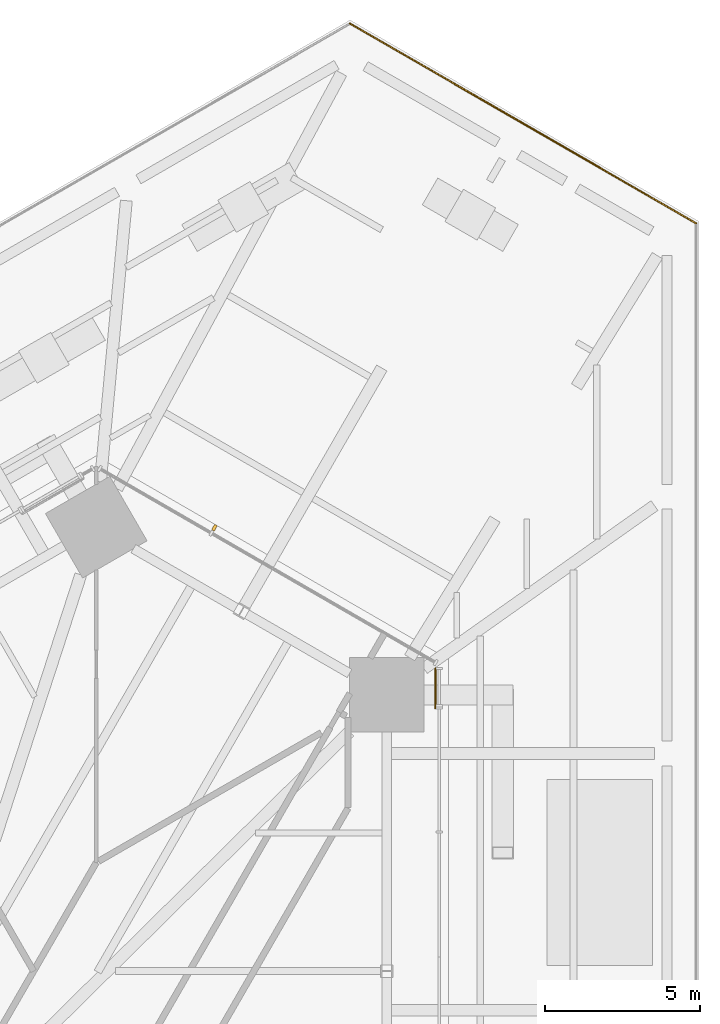
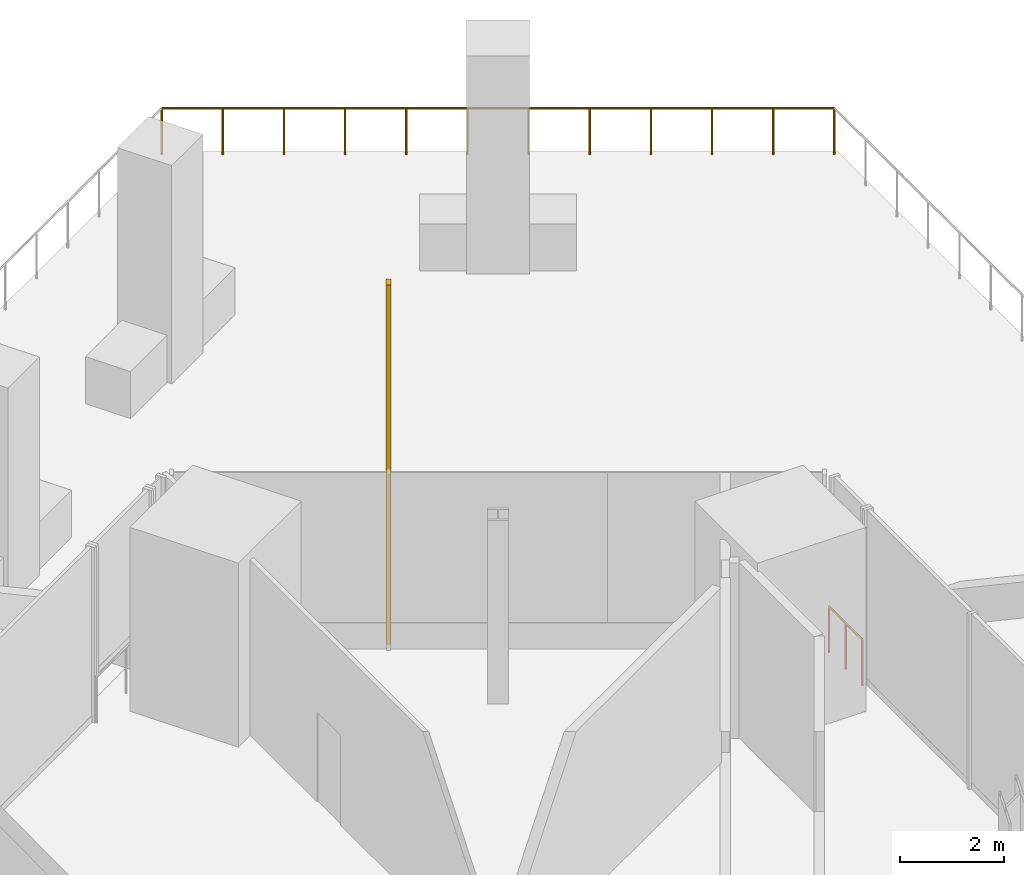
# One storey, part 35 of 38: 2 railings, 1 shading device.
"""IFC4 building model written with IfcOpenShell, lengths in metres."""

from ifc_helpers import new_model, si_unit, direction, frame, origin, origin_2d, place, context, subcontext, project, spatial, rectangle, circle, extrude, source, transform, mapped, material, type_object, element, save


model = new_model("IFC4")

# Units and contexts
model_context = context("Model", 3, precision=1e-05, world=origin(), true_north=direction((0.0, 1.0)))
body_context = subcontext(model_context, "Body", "Model", "MODEL_VIEW")
ifc_project = project(units=[si_unit("LENGTHUNIT", "METRE"), si_unit("AREAUNIT", "SQUARE_METRE"), si_unit("VOLUMEUNIT", "CUBIC_METRE"), si_unit("PLANEANGLEUNIT", "RADIAN"), si_unit("MASSUNIT", "GRAM", prefix="KILO")], contexts=[model_context])

# Site, building, storey
site_placement = place(None, origin())
site = spatial("IfcSite", under=ifc_project, at=site_placement, CompositionType="ELEMENT")
building_placement = place(site_placement, origin())
building = spatial("IfcBuilding", under=site, at=building_placement, Name="Triune Harvest Tower", CompositionType="ELEMENT")
storey_placement = place(building_placement, frame((0.0, 0.0, 16.0)))
storey = spatial("IfcBuildingStorey", under=building, at=storey_placement, Name="L03", CompositionType="ELEMENT", Elevation=16.0)

# Railings
ifc_material_1 = material(Name="Steel ASTM A992 Gr 50", Category="steel")
railing_type_1 = type_object("IfcRailingType", Name="GD-1 terrace guard 1100", PredefinedType="GUARDRAIL", material=ifc_material_1)
railing_1_placement = place(storey_placement, frame((20.495849609375, 48.384521484375, 0.0)))
element("IfcRailing", 1, at=railing_1_placement, inside=storey, type_object=railing_type_1, Name="Terrace guard 5", PredefinedType="GUARDRAIL", context=body_context, shape_type="SweptSolid", body=[
    extrude(circle(Radius=0.02392578125, at=origin_2d()), frame((0.0, 0.0, 1.076171875), z_axis=(0.866031918802, -0.499988715489, 0.0), x_axis=(0.499988715489, 0.866031918802, 0.0)), (0.0, 0.0, 1.0), 12.884521484375),
    extrude(circle(Radius=0.02099609375, at=origin_2d()), origin(), (0.0, 0.0, 1.0), 1.052001953125),
    extrude(circle(Radius=0.02099609375, at=origin_2d()), frame((1.014404296875, -0.585693359375, 0.0)), (0.0, 0.0, 1.0), 1.052001953125),
    extrude(circle(Radius=0.02099609375, at=origin_2d()), frame((2.02880859375, -1.17138671875, 0.0)), (0.0, 0.0, 1.0), 1.052001953125),
    extrude(circle(Radius=0.02099609375, at=origin_2d()), frame((3.043212890625, -1.7568359375, 0.0)), (0.0, 0.0, 1.0), 1.052001953125),
    extrude(circle(Radius=0.02099609375, at=origin_2d()), frame((4.0576171875, -2.342529296875, 0.0)), (0.0, 0.0, 1.0), 1.052001953125),
    extrude(circle(Radius=0.02099609375, at=origin_2d()), frame((5.072021484375, -2.92822265625, 0.0)), (0.0, 0.0, 1.0), 1.052001953125),
    extrude(circle(Radius=0.02099609375, at=origin_2d()), frame((6.08642578125, -3.513916015625, 0.0)), (0.0, 0.0, 1.0), 1.052001953125),
    extrude(circle(Radius=0.02099609375, at=origin_2d()), frame((7.100830078125, -4.099609375, 0.0)), (0.0, 0.0, 1.0), 1.052001953125),
    extrude(circle(Radius=0.02099609375, at=origin_2d()), frame((8.115234375, -4.685302734375, 0.0)), (0.0, 0.0, 1.0), 1.052001953125),
    extrude(circle(Radius=0.02099609375, at=origin_2d()), frame((9.129638671875, -5.270751953125, 0.0)), (0.0, 0.0, 1.0), 1.052001953125),
    extrude(circle(Radius=0.02099609375, at=origin_2d()), frame((10.14404296875, -5.8564453125, 0.0)), (0.0, 0.0, 1.0), 1.052001953125),
    extrude(circle(Radius=0.02099609375, at=origin_2d()), frame((11.158447265625, -6.442138671875, 0.0)), (0.0, 0.0, 1.0), 1.052001953125),
])
ifc_material_2 = material(Name="Glass", Category="glass")
railing_type_2 = type_object("IfcRailingType", Name="GD-3 facade guard 1100", PredefinedType="GUARDRAIL", material=ifc_material_2)
railing_2_placement = place(storey_placement, frame((23.247314453125, 26.3076171875, 0.0)))
element("IfcRailing", 2, at=railing_2_placement, inside=storey, type_object=railing_type_2, Name="Facade guard B1-F1 L03.2.1", PredefinedType="GUARDRAIL", context=body_context, shape_type="SweptSolid", body=[
    extrude(circle(Radius=0.02392578125, at=origin_2d()), frame((0.0, 0.0, 1.076171875), z_axis=(0.0, 1.0, 0.0), x_axis=(-1.0, 0.0, 0.0)), (0.0, 0.0, 1.0), 1.271728515625),
    extrude(circle(Radius=0.02099609375, at=origin_2d()), origin(), (0.0, 0.0, 1.0), 1.052001953125),
    extrude(circle(Radius=0.02099609375, at=origin_2d()), frame((0.0, 0.6357421875, 0.0)), (0.0, 0.0, 1.0), 1.052001953125),
    extrude(circle(Radius=0.02099609375, at=origin_2d()), frame((0.0, 1.271728515625, 0.0)), (0.0, 0.0, 1.0), 1.052001953125),
])

# Shading device
ifc_material_3 = material(Name="Aluminium bronze anodised", Category="aluminium")
shared_shape = source(origin(), body_context, "Body", "SweptSolid", [
    extrude(rectangle(XDim=0.10009765625, YDim=0.199951171875, at=origin_2d()), origin(), (0.0, 0.0, 1.0), 8.39990234375),
])
shading_device_placement = place(storey_placement, frame((16.12255859375, 32.122802734375, 0.0), z_axis=(0.0, 0.0, 1.0), x_axis=(-0.866026145592, 0.499998715149, 0.0)))
element("IfcShadingDevice", 3, at=shading_device_placement, inside=storey, material=ifc_material_3, Name="FN-1 fin B1-F2.3 L03", ObjectType="FIN", PredefinedType="USERDEFINED", context=body_context, shape_type="MappedRepresentation", body=[
    mapped(shared_shape, transform((0.0, 0.0, 0.0), scale=1.0)),
])

save(model, "model.ifc")
